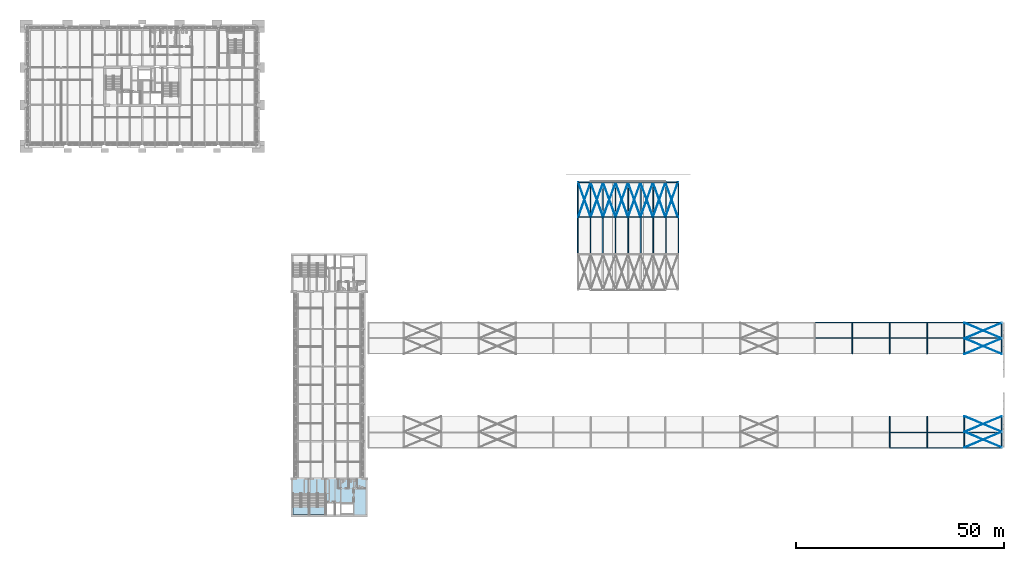
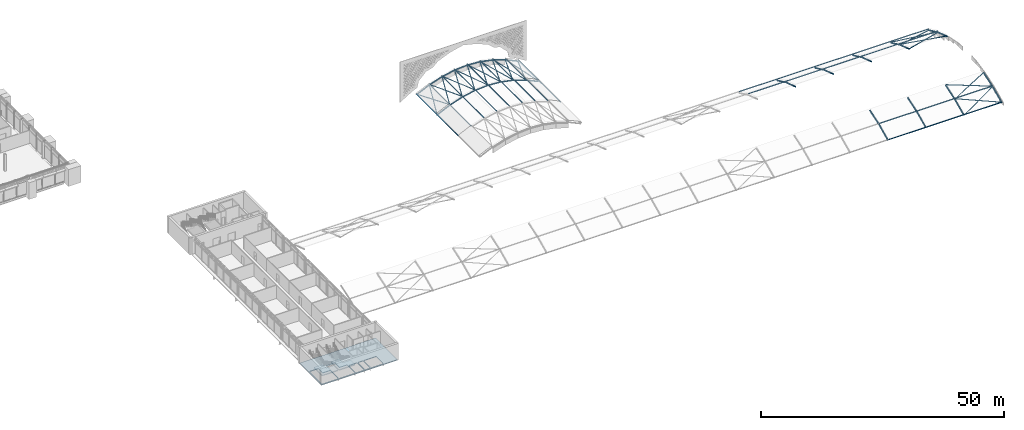
# One storey, part 16 of 54: 92 members, 3 slabs, 2 elements without a shape of their own.
"""IFC4 building model written with IfcOpenShell, lengths in metres."""

from ifc_helpers import new_model, si_unit, direction, frame, origin, origin_2d, place, context, subcontext, project, spatial, polyline, hollow_rectangle, hollow_circle, outline, extrude, material, layer, layer_set, material_profile, profile_set, type_object, element, aggregate, save


model = new_model("IFC4")

# Units and contexts
model_context = context("Model", 3, precision=1e-05, world=origin(), true_north=direction((0.0, 1.0)))
body_context = subcontext(model_context, "Body", "Model", "MODEL_VIEW")
ifc_project = project(units=[si_unit("LENGTHUNIT", "METRE"), si_unit("AREAUNIT", "SQUARE_METRE"), si_unit("VOLUMEUNIT", "CUBIC_METRE"), si_unit("PLANEANGLEUNIT", "RADIAN"), si_unit("MASSUNIT", "GRAM", prefix="KILO")], contexts=[model_context])

# Site, building, storey
site_placement = place(None, origin())
site = spatial("IfcSite", under=ifc_project, at=site_placement, CompositionType="ELEMENT")
building_placement = place(site_placement, origin())
building = spatial("IfcBuilding", under=site, at=building_placement, Name="Baradari Gate Terminus", CompositionType="ELEMENT")
storey_placement = place(building_placement, frame((0.0, 0.0, 15.89990234375)))
storey = spatial("IfcBuildingStorey", under=building, at=storey_placement, Name="L03", CompositionType="ELEMENT", Elevation=15.89990234375)

# Members
ifc_material_1 = material(Name="Steel S355", Category="steel")
ifc_material_profile_1 = material_profile(ifc_material_1, hollow_circle(Radius=0.161865234375, WallThickness=0.012451171875, at=origin_2d()), Name="CHS 323.9x12.5")
ifc_profile_set_1 = profile_set([ifc_material_profile_1], Name="Steel S355")
member_type_1 = type_object("IfcMemberType", Name="Hall vault top chord CHS 323.9x12.5", PredefinedType="CHORD", material=ifc_profile_set_1)
member_1_placement = place(storey_placement, frame((141.0, 99.0, -0.07763671875), z_axis=(0.906194443848, 0.0, 0.422861241945), x_axis=(0.0, 1.0, 0.0)))
element("IfcMember", 1, at=member_1_placement, inside=storey, type_object=member_type_1, Name="TR/L03/VT3-TC02", PredefinedType="CHORD", context=body_context, shape_type="SweptSolid", body=[
    extrude(hollow_circle(Radius=0.161865234375, WallThickness=0.012451171875, at=origin_2d()), origin(), (0.0, 0.0, 1.0), 3.310546875),
])
member_2_placement = place(storey_placement, frame((144.0, 99.0, 1.322265625), z_axis=(0.948683298051, 0.0, 0.316227766017), x_axis=(0.0, 1.0, 0.0)))
element("IfcMember", 2, at=member_2_placement, inside=storey, type_object=member_type_1, Name="TR/L03/VT3-TC03", PredefinedType="CHORD", context=body_context, shape_type="SweptSolid", body=[
    extrude(hollow_circle(Radius=0.161865234375, WallThickness=0.012451171875, at=origin_2d()), origin(), (0.0, 0.0, 1.0), 3.162353515625),
])
member_3_placement = place(storey_placement, frame((147.0, 99.0, 2.322265625), z_axis=(0.980574536798, 0.0, 0.196146827104), x_axis=(0.0, 1.0, 0.0)))
element("IfcMember", 3, at=member_3_placement, inside=storey, type_object=member_type_1, Name="TR/L03/VT3-TC04", PredefinedType="CHORD", context=body_context, shape_type="SweptSolid", body=[
    extrude(hollow_circle(Radius=0.161865234375, WallThickness=0.012451171875, at=origin_2d()), origin(), (0.0, 0.0, 1.0), 3.059326171875),
])
for number, where, z_axis, x_axis, name in (
    (4, (150.0, 99.0, 2.92236328125), (0.997786235602, 0.0, 0.066502842363), (0.0, 1.0, 0.0), "TR/L03/VT3-TC05"),
    (5, (153.0, 99.0, 3.122314453125), (0.997786235602, 0.0, -0.066502842363), (0.0, 1.0, 0.0), "TR/L03/VT3-TC06"),
):
    element("IfcMember", number, at=place(storey_placement, frame(where, z_axis=z_axis, x_axis=x_axis)), inside=storey, type_object=member_type_1, Name=name, PredefinedType="CHORD", context=body_context, shape_type="SweptSolid", body=[
        extrude(hollow_circle(Radius=0.161865234375, WallThickness=0.012451171875, at=origin_2d()), origin(), (0.0, 0.0, 1.0), 3.006591796875),
    ])
member_4_placement = place(storey_placement, frame((156.0, 99.0, 2.92236328125), z_axis=(0.980574536798, 0.0, -0.196146827104), x_axis=(0.0, 1.0, 0.0)))
element("IfcMember", 6, at=member_4_placement, inside=storey, type_object=member_type_1, Name="TR/L03/VT3-TC07", PredefinedType="CHORD", context=body_context, shape_type="SweptSolid", body=[
    extrude(hollow_circle(Radius=0.161865234375, WallThickness=0.012451171875, at=origin_2d()), origin(), (0.0, 0.0, 1.0), 3.059326171875),
])
member_5_placement = place(storey_placement, frame((159.0, 99.0, 2.322265625), z_axis=(0.948683298051, 0.0, -0.316227766017), x_axis=(0.0, 1.0, 0.0)))
element("IfcMember", 7, at=member_5_placement, inside=storey, type_object=member_type_1, Name="TR/L03/VT3-TC08", PredefinedType="CHORD", context=body_context, shape_type="SweptSolid", body=[
    extrude(hollow_circle(Radius=0.161865234375, WallThickness=0.012451171875, at=origin_2d()), origin(), (0.0, 0.0, 1.0), 3.162353515625),
])
for number, where, z_axis, x_axis, name in (
    (8, (162.0, 99.0, 1.322265625), (0.906194443848, 0.0, -0.422861241945), (0.0, 1.0, 0.0), "TR/L03/VT3-TC09"),
    (9, (141.0, 107.39990234375, -0.07763671875), (0.906194443848, 0.0, 0.422861241945), (0.0, 1.0, 0.0), "TR/L03/VT4-TC02"),
):
    element("IfcMember", number, at=place(storey_placement, frame(where, z_axis=z_axis, x_axis=x_axis)), inside=storey, type_object=member_type_1, Name=name, PredefinedType="CHORD", context=body_context, shape_type="SweptSolid", body=[
        extrude(hollow_circle(Radius=0.161865234375, WallThickness=0.012451171875, at=origin_2d()), origin(), (0.0, 0.0, 1.0), 3.310546875),
    ])
member_6_placement = place(storey_placement, frame((144.0, 107.39990234375, 1.322265625), z_axis=(0.948683298051, 0.0, 0.316227766017), x_axis=(0.0, 1.0, 0.0)))
element("IfcMember", 10, at=member_6_placement, inside=storey, type_object=member_type_1, Name="TR/L03/VT4-TC03", PredefinedType="CHORD", context=body_context, shape_type="SweptSolid", body=[
    extrude(hollow_circle(Radius=0.161865234375, WallThickness=0.012451171875, at=origin_2d()), origin(), (0.0, 0.0, 1.0), 3.162353515625),
])
member_7_placement = place(storey_placement, frame((147.0, 107.39990234375, 2.322265625), z_axis=(0.980574536798, 0.0, 0.196146827104), x_axis=(0.0, 1.0, 0.0)))
element("IfcMember", 11, at=member_7_placement, inside=storey, type_object=member_type_1, Name="TR/L03/VT4-TC04", PredefinedType="CHORD", context=body_context, shape_type="SweptSolid", body=[
    extrude(hollow_circle(Radius=0.161865234375, WallThickness=0.012451171875, at=origin_2d()), origin(), (0.0, 0.0, 1.0), 3.059326171875),
])
for number, where, z_axis, x_axis, name in (
    (12, (150.0, 107.39990234375, 2.92236328125), (0.997786235602, 0.0, 0.066502842363), (0.0, 1.0, 0.0), "TR/L03/VT4-TC05"),
    (13, (153.0, 107.39990234375, 3.122314453125), (0.997786235602, 0.0, -0.066502842363), (0.0, 1.0, 0.0), "TR/L03/VT4-TC06"),
):
    element("IfcMember", number, at=place(storey_placement, frame(where, z_axis=z_axis, x_axis=x_axis)), inside=storey, type_object=member_type_1, Name=name, PredefinedType="CHORD", context=body_context, shape_type="SweptSolid", body=[
        extrude(hollow_circle(Radius=0.161865234375, WallThickness=0.012451171875, at=origin_2d()), origin(), (0.0, 0.0, 1.0), 3.006591796875),
    ])
member_8_placement = place(storey_placement, frame((156.0, 107.39990234375, 2.92236328125), z_axis=(0.980574536798, 0.0, -0.196146827104), x_axis=(0.0, 1.0, 0.0)))
element("IfcMember", 14, at=member_8_placement, inside=storey, type_object=member_type_1, Name="TR/L03/VT4-TC07", PredefinedType="CHORD", context=body_context, shape_type="SweptSolid", body=[
    extrude(hollow_circle(Radius=0.161865234375, WallThickness=0.012451171875, at=origin_2d()), origin(), (0.0, 0.0, 1.0), 3.059326171875),
])
member_9_placement = place(storey_placement, frame((159.0, 107.39990234375, 2.322265625), z_axis=(0.948683298051, 0.0, -0.316227766017), x_axis=(0.0, 1.0, 0.0)))
element("IfcMember", 15, at=member_9_placement, inside=storey, type_object=member_type_1, Name="TR/L03/VT4-TC08", PredefinedType="CHORD", context=body_context, shape_type="SweptSolid", body=[
    extrude(hollow_circle(Radius=0.161865234375, WallThickness=0.012451171875, at=origin_2d()), origin(), (0.0, 0.0, 1.0), 3.162353515625),
])
member_10_placement = place(storey_placement, frame((162.0, 107.39990234375, 1.322265625), z_axis=(0.906194443848, 0.0, -0.422861241945), x_axis=(0.0, 1.0, 0.0)))
element("IfcMember", 16, at=member_10_placement, inside=storey, type_object=member_type_1, Name="TR/L03/VT4-TC09", PredefinedType="CHORD", context=body_context, shape_type="SweptSolid", body=[
    extrude(hollow_circle(Radius=0.161865234375, WallThickness=0.012451171875, at=origin_2d()), origin(), (0.0, 0.0, 1.0), 3.310546875),
])
ifc_material_2 = material(Name="Steel S355", Category="steel")
ifc_material_profile_2 = material_profile(ifc_material_2, hollow_rectangle(XDim=0.199951171875, YDim=0.199951171875, WallThickness=0.008056640625, InnerFilletRadius=0.008056640625, OuterFilletRadius=0.01611328125, at=origin_2d()), Name="SHS 200x200x8")
ifc_profile_set_2 = profile_set([ifc_material_profile_2], Name="Steel S355")
member_type_2 = type_object("IfcMemberType", Name="Shed purlin SHS 200x200x8", PredefinedType="PURLIN", material=ifc_profile_set_2)
for number, where, z_axis, x_axis, name in (
    (17, (198.0, 69.848388671875, 2.93359375), (1.0, 0.0, 0.0), (0.0, 0.928965199535, -0.370167067759), "TR/L03/B207-PU09"),
    (18, (198.0, 73.624755859375, 1.17138671875), (1.0, 0.0, 0.0), (0.0, 0.883026855482, -0.469322461106), "TR/L03/B207-PU10"),
    (19, (207.0, 69.848388671875, 2.93359375), (1.0, 0.0, 0.0), (0.0, 0.928965199535, -0.370167067759), "TR/L03/B216-PU09"),
    (20, (207.0, 73.624755859375, 1.17138671875), (1.0, 0.0, 0.0), (0.0, 0.883026855482, -0.469322461106), "TR/L03/B216-PU10"),
    (21, (216.0, 43.375244140625, 1.17138671875), (1.0, 0.0, 0.0), (0.0, 0.883026855482, 0.469322461106), "TR/L03/B225-PU02"),
    (22, (216.0, 47.151611328125, 2.93359375), (1.0, 0.0, 0.0), (0.0, 0.928965199535, 0.370167067759), "TR/L03/B225-PU03"),
    (23, (216.0, 69.848388671875, 2.93359375), (1.0, 0.0, 0.0), (0.0, 0.928965199535, -0.370167067759), "TR/L03/B225-PU09"),
    (24, (216.0, 73.624755859375, 1.17138671875), (1.0, 0.0, 0.0), (0.0, 0.883026855482, -0.469322461106), "TR/L03/B225-PU10"),
    (25, (225.0, 43.375244140625, 1.17138671875), (1.0, 0.0, 0.0), (0.0, 0.883026855482, 0.469322461106), "TR/L03/B234-PU02"),
    (26, (225.0, 47.151611328125, 2.93359375), (1.0, 0.0, 0.0), (0.0, 0.928965199535, 0.370167067759), "TR/L03/B234-PU03"),
    (27, (225.0, 69.848388671875, 2.93359375), (1.0, 0.0, 0.0), (0.0, 0.928965199535, -0.370167067759), "TR/L03/B234-PU09"),
    (28, (225.0, 73.624755859375, 1.17138671875), (1.0, 0.0, 0.0), (0.0, 0.883026855482, -0.469322461106), "TR/L03/B234-PU10"),
    (29, (234.0, 43.375244140625, 1.17138671875), (1.0, 0.0, 0.0), (0.0, 0.883026855482, 0.469322461106), "TR/L03/B243-PU02"),
    (30, (234.0, 47.151611328125, 2.93359375), (1.0, 0.0, 0.0), (0.0, 0.928965199535, 0.370167067759), "TR/L03/B243-PU03"),
    (31, (234.0, 69.848388671875, 2.93359375), (1.0, 0.0, 0.0), (0.0, 0.928965199535, -0.370167067759), "TR/L03/B243-PU09"),
    (32, (234.0, 73.624755859375, 1.17138671875), (1.0, 0.0, 0.0), (0.0, 0.883026855482, -0.469322461106), "TR/L03/B243-PU10"),
    (33, (140.8828125, 90.0, 0.14306640625), (0.0, 1.0, 0.0), (-0.883026855482, 0.0, -0.469322461106), "TR/L03/VP2-PU02"),
    (34, (143.907470703125, 90.0, 1.554443359375), (0.0, 1.0, 0.0), (-0.928965199535, 0.0, -0.370167067759), "TR/L03/VP2-PU03"),
    (35, (146.935791015625, 90.0, 2.56396484375), (0.0, 1.0, 0.0), (-0.966499648767, 0.0, -0.256667935149), "TR/L03/VP2-PU04"),
    (36, (149.967041015625, 90.0, 3.170166015625), (0.0, 1.0, 0.0), (-0.99130302961, 0.0, -0.131599025396), "TR/L03/VP2-PU05"),
    (37, (153.0, 90.0, 3.372314453125), (0.0, 1.0, 0.0), (-1.0, 0.0, 0.0), "TR/L03/VP2-PU06"),
    (38, (156.032958984375, 90.0, 3.170166015625), (0.0, 1.0, 0.0), (-0.99130302961, 0.0, 0.131599025396), "TR/L03/VP2-PU07"),
    (39, (159.064208984375, 90.0, 2.56396484375), (0.0, 1.0, 0.0), (-0.966499648767, 0.0, 0.256667935149), "TR/L03/VP2-PU08"),
    (40, (162.092529296875, 90.0, 1.554443359375), (0.0, 1.0, 0.0), (-0.928965199535, 0.0, 0.370167067759), "TR/L03/VP2-PU09"),
    (41, (165.1171875, 90.0, 0.14306640625), (0.0, 1.0, 0.0), (-0.883026855482, 0.0, 0.469322461106), "TR/L03/VP2-PU10"),
):
    element("IfcMember", number, at=place(storey_placement, frame(where, z_axis=z_axis, x_axis=x_axis)), inside=storey, type_object=member_type_2, Name=name, PredefinedType="PURLIN", context=body_context, shape_type="SweptSolid", body=[
        extrude(hollow_rectangle(XDim=0.199951171875, YDim=0.199951171875, WallThickness=0.008056640625, InnerFilletRadius=0.008056640625, OuterFilletRadius=0.01611328125, at=origin_2d()), origin(), (0.0, 0.0, 1.0), 9.0),
    ])
for number, where, z_axis, x_axis, name in (
    (42, (140.8828125, 99.0, 0.14306640625), (0.0, 1.0, 0.0), (-0.883026855482, 0.0, -0.469322461106), "TR/L03/VP3-PU02"),
    (43, (143.907470703125, 99.0, 1.554443359375), (0.0, 1.0, 0.0), (-0.928965199535, 0.0, -0.370167067759), "TR/L03/VP3-PU03"),
    (44, (146.935791015625, 99.0, 2.56396484375), (0.0, 1.0, 0.0), (-0.966499648767, 0.0, -0.256667935149), "TR/L03/VP3-PU04"),
    (45, (149.967041015625, 99.0, 3.170166015625), (0.0, 1.0, 0.0), (-0.99130302961, 0.0, -0.131599025396), "TR/L03/VP3-PU05"),
    (46, (153.0, 99.0, 3.372314453125), (0.0, 1.0, 0.0), (-1.0, 0.0, 0.0), "TR/L03/VP3-PU06"),
    (47, (156.032958984375, 99.0, 3.170166015625), (0.0, 1.0, 0.0), (-0.99130302961, 0.0, 0.131599025396), "TR/L03/VP3-PU07"),
    (48, (159.064208984375, 99.0, 2.56396484375), (0.0, 1.0, 0.0), (-0.966499648767, 0.0, 0.256667935149), "TR/L03/VP3-PU08"),
    (49, (162.092529296875, 99.0, 1.554443359375), (0.0, 1.0, 0.0), (-0.928965199535, 0.0, 0.370167067759), "TR/L03/VP3-PU09"),
    (50, (165.1171875, 99.0, 0.14306640625), (0.0, 1.0, 0.0), (-0.883026855482, 0.0, 0.469322461106), "TR/L03/VP3-PU10"),
):
    element("IfcMember", number, at=place(storey_placement, frame(where, z_axis=z_axis, x_axis=x_axis)), inside=storey, type_object=member_type_2, Name=name, PredefinedType="PURLIN", context=body_context, shape_type="SweptSolid", body=[
        extrude(hollow_rectangle(XDim=0.199951171875, YDim=0.199951171875, WallThickness=0.008056640625, InnerFilletRadius=0.008056640625, OuterFilletRadius=0.01611328125, at=origin_2d()), origin(), (0.0, 0.0, 1.0), 8.39990234375),
    ])
ifc_material_3 = material(Name="Steel S355", Category="steel")
ifc_material_profile_3 = material_profile(ifc_material_3, hollow_circle(Radius=0.05712890625, WallThickness=0.00634765625, at=origin_2d()), Name="CHS 114.3x6.3")
ifc_profile_set_3 = profile_set([ifc_material_profile_3], Name="Steel S355")
member_type_3 = type_object("IfcMemberType", Name="Shed roof brace CHS 114.3x6.3", PredefinedType="BRACE", material=ifc_profile_set_3)
for number, where, z_axis, x_axis, name in (
    (51, (234.0, 43.5, 0.9365234375), (0.908558037225, 0.378565848844, 0.176664062794), (-0.384615384615, 0.923076923077, 0.0), "TR/L03/B243-RB02A"),
    (52, (243.0, 43.5, 1.05078125), (-0.908558037225, 0.378565848844, 0.176664062794), (-0.384615384615, -0.923076923077, 0.0), "TR/L03/B243-RB02B"),
):
    element("IfcMember", number, at=place(storey_placement, frame(where, z_axis=z_axis, x_axis=x_axis)), inside=storey, type_object=member_type_3, Name=name, PredefinedType="BRACE", context=body_context, shape_type="SweptSolid", body=[
        extrude(hollow_circle(Radius=0.05712890625, WallThickness=0.00634765625, at=origin_2d()), origin(), (0.0, 0.0, 1.0), 9.90576171875),
    ])
for number, where, z_axis, x_axis, name in (
    (53, (234.0, 47.25, 2.6865234375), (0.915583075095, 0.381492947956, 0.127164315985), (-0.384615384615, 0.923076923077, 0.0), "TR/L03/B243-RB03A"),
    (54, (243.0, 47.25, 2.80078125), (-0.915583075095, 0.381492947956, 0.127164315985), (-0.384615384615, -0.923076923077, 0.0), "TR/L03/B243-RB03B"),
    (55, (234.0, 66.0, 3.9365234375), (0.915583075095, 0.381492947956, -0.127164315985), (-0.384615384615, 0.923076923077, 0.0), "TR/L03/B243-RB08A"),
    (56, (243.0, 66.0, 4.05078125), (-0.915583075095, 0.381492947956, -0.127164315985), (-0.384615384615, -0.923076923077, 0.0), "TR/L03/B243-RB08B"),
):
    element("IfcMember", number, at=place(storey_placement, frame(where, z_axis=z_axis, x_axis=x_axis)), inside=storey, type_object=member_type_3, Name=name, PredefinedType="BRACE", context=body_context, shape_type="SweptSolid", body=[
        extrude(hollow_circle(Radius=0.05712890625, WallThickness=0.00634765625, at=origin_2d()), origin(), (0.0, 0.0, 1.0), 9.829833984375),
    ])
for number, where, z_axis, x_axis, name in (
    (57, (234.0, 69.75, 2.6865234375), (0.908558037225, 0.378565848844, -0.176664062794), (-0.384615384615, 0.923076923077, 0.0), "TR/L03/B243-RB09A"),
    (58, (243.0, 69.75, 2.80078125), (-0.908558037225, 0.378565848844, -0.176664062794), (-0.384615384615, -0.923076923077, 0.0), "TR/L03/B243-RB09B"),
):
    element("IfcMember", number, at=place(storey_placement, frame(where, z_axis=z_axis, x_axis=x_axis)), inside=storey, type_object=member_type_3, Name=name, PredefinedType="BRACE", context=body_context, shape_type="SweptSolid", body=[
        extrude(hollow_circle(Radius=0.05712890625, WallThickness=0.00634765625, at=origin_2d()), origin(), (0.0, 0.0, 1.0), 9.90576171875),
    ])
for number, where, z_axis, x_axis, name in (
    (59, (141.0, 99.0, -0.07763671875), (0.33227239954, 0.930351902552, 0.15504963696), (-0.941740673063, 0.336339864867, 0.0), "TR/L03/VPB3-RB02A"),
    (60, (144.0, 99.0, 1.436767578125), (-0.33227100634, 0.93034800164, -0.155076027129), (-0.941740673063, -0.336339864867, 0.0), "TR/L03/VPB3-RB02B"),
):
    element("IfcMember", number, at=place(storey_placement, frame(where, z_axis=z_axis, x_axis=x_axis)), inside=storey, type_object=member_type_3, Name=name, PredefinedType="BRACE", context=body_context, shape_type="SweptSolid", body=[
        extrude(hollow_circle(Radius=0.05712890625, WallThickness=0.00634765625, at=origin_2d()), origin(), (0.0, 0.0, 1.0), 9.02880859375),
    ])
for number, where, z_axis, x_axis, name in (
    (61, (144.0, 99.0, 1.322265625), (0.334245791864, 0.935877336823, 0.111415263955), (-0.941740673063, 0.336339864867, 0.0), "TR/L03/VPB3-RB03A"),
    (62, (147.0, 99.0, 2.436767578125), (-0.334245791864, 0.935877336823, -0.111415263955), (-0.941740673063, -0.336339864867, 0.0), "TR/L03/VPB3-RB03B"),
):
    element("IfcMember", number, at=place(storey_placement, frame(where, z_axis=z_axis, x_axis=x_axis)), inside=storey, type_object=member_type_3, Name=name, PredefinedType="BRACE", context=body_context, shape_type="SweptSolid", body=[
        extrude(hollow_circle(Radius=0.05712890625, WallThickness=0.00634765625, at=origin_2d()), origin(), (0.0, 0.0, 1.0), 8.975341796875),
    ])
for number, where, z_axis, x_axis, name in (
    (63, (147.0, 99.0, 2.322265625), (0.335581226012, 0.939616508966, 0.06712716907), (-0.941740673063, 0.336339864867, 0.0), "TR/L03/VPB3-RB04A"),
    (64, (150.0, 99.0, 3.03662109375), (-0.335581841083, 0.939618231145, -0.067099982385), (-0.941740673063, -0.336339864867, 0.0), "TR/L03/VPB3-RB04B"),
):
    element("IfcMember", number, at=place(storey_placement, frame(where, z_axis=z_axis, x_axis=x_axis)), inside=storey, type_object=member_type_3, Name=name, PredefinedType="BRACE", context=body_context, shape_type="SweptSolid", body=[
        extrude(hollow_circle(Radius=0.05712890625, WallThickness=0.00634765625, at=origin_2d()), origin(), (0.0, 0.0, 1.0), 8.939697265625),
    ])
for number, where, z_axis, x_axis, name in (
    (65, (150.0, 99.0, 2.92236328125), (0.33625538625, 0.941504135688, 0.022411552843), (-0.941740673063, 0.336339864867, 0.0), "TR/L03/VPB3-RB05A"),
    (66, (153.0, 99.0, 3.236572265625), (-0.33625538625, 0.941504135688, -0.022411552843), (-0.941740673063, -0.336339864867, 0.0), "TR/L03/VPB3-RB05B"),
    (67, (153.0, 99.0, 3.122314453125), (0.33625538625, 0.941504135688, -0.022411552843), (-0.941740673063, 0.336339864867, 0.0), "TR/L03/VPB3-RB06A"),
    (68, (156.0, 99.0, 3.03662109375), (-0.33625538625, 0.941504135688, 0.022411552843), (-0.941740673063, -0.336339864867, 0.0), "TR/L03/VPB3-RB06B"),
):
    element("IfcMember", number, at=place(storey_placement, frame(where, z_axis=z_axis, x_axis=x_axis)), inside=storey, type_object=member_type_3, Name=name, PredefinedType="BRACE", context=body_context, shape_type="SweptSolid", body=[
        extrude(hollow_circle(Radius=0.05712890625, WallThickness=0.00634765625, at=origin_2d()), origin(), (0.0, 0.0, 1.0), 8.921875),
    ])
for number, where, z_axis, x_axis, name in (
    (69, (156.0, 99.0, 2.92236328125), (0.335581226012, 0.939616508966, -0.06712716907), (-0.941740673063, 0.336339864867, 0.0), "TR/L03/VPB3-RB07A"),
    (70, (159.0, 99.0, 2.436767578125), (-0.335581841083, 0.939618231145, 0.067099982385), (-0.941740673063, -0.336339864867, 0.0), "TR/L03/VPB3-RB07B"),
):
    element("IfcMember", number, at=place(storey_placement, frame(where, z_axis=z_axis, x_axis=x_axis)), inside=storey, type_object=member_type_3, Name=name, PredefinedType="BRACE", context=body_context, shape_type="SweptSolid", body=[
        extrude(hollow_circle(Radius=0.05712890625, WallThickness=0.00634765625, at=origin_2d()), origin(), (0.0, 0.0, 1.0), 8.939697265625),
    ])
for number, where, z_axis, x_axis, name in (
    (71, (159.0, 99.0, 2.322265625), (0.334245791864, 0.935877336823, -0.111415263955), (-0.941740673063, 0.336339864867, 0.0), "TR/L03/VPB3-RB08A"),
    (72, (162.0, 99.0, 1.436767578125), (-0.334245791864, 0.935877336823, 0.111415263955), (-0.941740673063, -0.336339864867, 0.0), "TR/L03/VPB3-RB08B"),
):
    element("IfcMember", number, at=place(storey_placement, frame(where, z_axis=z_axis, x_axis=x_axis)), inside=storey, type_object=member_type_3, Name=name, PredefinedType="BRACE", context=body_context, shape_type="SweptSolid", body=[
        extrude(hollow_circle(Radius=0.05712890625, WallThickness=0.00634765625, at=origin_2d()), origin(), (0.0, 0.0, 1.0), 8.975341796875),
    ])
for number, where, z_axis, x_axis, name in (
    (73, (162.0, 99.0, 1.322265625), (0.33227239954, 0.930351902552, -0.15504963696), (-0.941740673063, 0.336339864867, 0.0), "TR/L03/VPB3-RB09A"),
    (74, (165.0, 99.0, 0.03662109375), (-0.33227100634, 0.93034800164, 0.155076027129), (-0.941740673063, -0.336339864867, 0.0), "TR/L03/VPB3-RB09B"),
):
    element("IfcMember", number, at=place(storey_placement, frame(where, z_axis=z_axis, x_axis=x_axis)), inside=storey, type_object=member_type_3, Name=name, PredefinedType="BRACE", context=body_context, shape_type="SweptSolid", body=[
        extrude(hollow_circle(Radius=0.05712890625, WallThickness=0.00634765625, at=origin_2d()), origin(), (0.0, 0.0, 1.0), 9.02880859375),
    ])
ifc_material_4 = material(Name="Steel S355", Category="steel")
ifc_material_profile_4 = material_profile(ifc_material_4, hollow_circle(Radius=0.177734375, WallThickness=0.01611328125, at=origin_2d()), Name="CHS 355.6x16")
ifc_profile_set_4 = profile_set([ifc_material_profile_4], Name="Steel S355")
member_type_4 = type_object("IfcMemberType", Name="Shed top chord CHS 355.6x16", PredefinedType="CHORD", material=ifc_profile_set_4)
member_11_placement = place(storey_placement, frame((207.0, 66.0, 3.9365234375), z_axis=(0.0, 0.948683298051, -0.316227766017), x_axis=(-1.0, 0.0, 0.0)))
element("IfcMember", 75, at=member_11_placement, inside=storey, type_object=member_type_4, Name="TR/L03/S207-TC08", PredefinedType="CHORD", context=body_context, shape_type="SweptSolid", body=[
    extrude(hollow_circle(Radius=0.177734375, WallThickness=0.01611328125, at=origin_2d()), origin(), (0.0, 0.0, 1.0), 3.952880859375),
])
for number, where, z_axis, x_axis, name in (
    (76, (207.0, 69.75, 2.6865234375), (0.0, 0.906183139995, -0.422885465331), (-1.0, 0.0, 0.0), "TR/L03/S207-TC09"),
    (77, (216.0, 43.5, 0.9365234375), (0.0, 0.906183139995, 0.422885465331), (-1.0, 0.0, 0.0), "TR/L03/S216-TC02"),
):
    element("IfcMember", number, at=place(storey_placement, frame(where, z_axis=z_axis, x_axis=x_axis)), inside=storey, type_object=member_type_4, Name=name, PredefinedType="CHORD", context=body_context, shape_type="SweptSolid", body=[
        extrude(hollow_circle(Radius=0.177734375, WallThickness=0.01611328125, at=origin_2d()), origin(), (0.0, 0.0, 1.0), 4.13818359375),
    ])
for number, where, z_axis, x_axis, name in (
    (78, (216.0, 47.25, 2.6865234375), (0.0, 0.948683298051, 0.316227766017), (-1.0, 0.0, 0.0), "TR/L03/S216-TC03"),
    (79, (216.0, 66.0, 3.9365234375), (0.0, 0.948683298051, -0.316227766017), (-1.0, 0.0, 0.0), "TR/L03/S216-TC08"),
):
    element("IfcMember", number, at=place(storey_placement, frame(where, z_axis=z_axis, x_axis=x_axis)), inside=storey, type_object=member_type_4, Name=name, PredefinedType="CHORD", context=body_context, shape_type="SweptSolid", body=[
        extrude(hollow_circle(Radius=0.177734375, WallThickness=0.01611328125, at=origin_2d()), origin(), (0.0, 0.0, 1.0), 3.952880859375),
    ])
for number, where, z_axis, x_axis, name in (
    (80, (216.0, 69.75, 2.6865234375), (0.0, 0.906183139995, -0.422885465331), (-1.0, 0.0, 0.0), "TR/L03/S216-TC09"),
    (81, (225.0, 43.5, 0.9365234375), (0.0, 0.906183139995, 0.422885465331), (-1.0, 0.0, 0.0), "TR/L03/S225-TC02"),
):
    element("IfcMember", number, at=place(storey_placement, frame(where, z_axis=z_axis, x_axis=x_axis)), inside=storey, type_object=member_type_4, Name=name, PredefinedType="CHORD", context=body_context, shape_type="SweptSolid", body=[
        extrude(hollow_circle(Radius=0.177734375, WallThickness=0.01611328125, at=origin_2d()), origin(), (0.0, 0.0, 1.0), 4.13818359375),
    ])
for number, where, z_axis, x_axis, name in (
    (82, (225.0, 47.25, 2.6865234375), (0.0, 0.948683298051, 0.316227766017), (-1.0, 0.0, 0.0), "TR/L03/S225-TC03"),
    (83, (225.0, 66.0, 3.9365234375), (0.0, 0.948683298051, -0.316227766017), (-1.0, 0.0, 0.0), "TR/L03/S225-TC08"),
):
    element("IfcMember", number, at=place(storey_placement, frame(where, z_axis=z_axis, x_axis=x_axis)), inside=storey, type_object=member_type_4, Name=name, PredefinedType="CHORD", context=body_context, shape_type="SweptSolid", body=[
        extrude(hollow_circle(Radius=0.177734375, WallThickness=0.01611328125, at=origin_2d()), origin(), (0.0, 0.0, 1.0), 3.952880859375),
    ])
for number, where, z_axis, x_axis, name in (
    (84, (225.0, 69.75, 2.6865234375), (0.0, 0.906183139995, -0.422885465331), (-1.0, 0.0, 0.0), "TR/L03/S225-TC09"),
    (85, (234.0, 43.5, 0.9365234375), (0.0, 0.906183139995, 0.422885465331), (-1.0, 0.0, 0.0), "TR/L03/S234-TC02"),
):
    element("IfcMember", number, at=place(storey_placement, frame(where, z_axis=z_axis, x_axis=x_axis)), inside=storey, type_object=member_type_4, Name=name, PredefinedType="CHORD", context=body_context, shape_type="SweptSolid", body=[
        extrude(hollow_circle(Radius=0.177734375, WallThickness=0.01611328125, at=origin_2d()), origin(), (0.0, 0.0, 1.0), 4.13818359375),
    ])
for number, where, z_axis, x_axis, name in (
    (86, (234.0, 47.25, 2.6865234375), (0.0, 0.948683298051, 0.316227766017), (-1.0, 0.0, 0.0), "TR/L03/S234-TC03"),
    (87, (234.0, 66.0, 3.9365234375), (0.0, 0.948683298051, -0.316227766017), (-1.0, 0.0, 0.0), "TR/L03/S234-TC08"),
):
    element("IfcMember", number, at=place(storey_placement, frame(where, z_axis=z_axis, x_axis=x_axis)), inside=storey, type_object=member_type_4, Name=name, PredefinedType="CHORD", context=body_context, shape_type="SweptSolid", body=[
        extrude(hollow_circle(Radius=0.177734375, WallThickness=0.01611328125, at=origin_2d()), origin(), (0.0, 0.0, 1.0), 3.952880859375),
    ])
for number, where, z_axis, x_axis, name in (
    (88, (234.0, 69.75, 2.6865234375), (0.0, 0.906183139995, -0.422885465331), (-1.0, 0.0, 0.0), "TR/L03/S234-TC09"),
    (89, (243.0, 43.5, 0.9365234375), (0.0, 0.906183139995, 0.422885465331), (-1.0, 0.0, 0.0), "TR/L03/S243-TC02"),
):
    element("IfcMember", number, at=place(storey_placement, frame(where, z_axis=z_axis, x_axis=x_axis)), inside=storey, type_object=member_type_4, Name=name, PredefinedType="CHORD", context=body_context, shape_type="SweptSolid", body=[
        extrude(hollow_circle(Radius=0.177734375, WallThickness=0.01611328125, at=origin_2d()), origin(), (0.0, 0.0, 1.0), 4.13818359375),
    ])
for number, where, z_axis, x_axis, name in (
    (90, (243.0, 47.25, 2.6865234375), (0.0, 0.948683298051, 0.316227766017), (-1.0, 0.0, 0.0), "TR/L03/S243-TC03"),
    (91, (243.0, 66.0, 3.9365234375), (0.0, 0.948683298051, -0.316227766017), (-1.0, 0.0, 0.0), "TR/L03/S243-TC08"),
):
    element("IfcMember", number, at=place(storey_placement, frame(where, z_axis=z_axis, x_axis=x_axis)), inside=storey, type_object=member_type_4, Name=name, PredefinedType="CHORD", context=body_context, shape_type="SweptSolid", body=[
        extrude(hollow_circle(Radius=0.177734375, WallThickness=0.01611328125, at=origin_2d()), origin(), (0.0, 0.0, 1.0), 3.952880859375),
    ])
member_12_placement = place(storey_placement, frame((243.0, 69.75, 2.6865234375), z_axis=(0.0, 0.906183139995, -0.422885465331), x_axis=(-1.0, 0.0, 0.0)))
element("IfcMember", 92, at=member_12_placement, inside=storey, type_object=member_type_4, Name="TR/L03/S243-TC09", PredefinedType="CHORD", context=body_context, shape_type="SweptSolid", body=[
    extrude(hollow_circle(Radius=0.177734375, WallThickness=0.01611328125, at=origin_2d()), origin(), (0.0, 0.0, 1.0), 4.13818359375),
])

# Slab
ifc_material_5 = material(Name="Concrete C35/45", Category="concrete")
ifc_layer_1 = layer(ifc_material_5, 0.14990234375)
ifc_layer_set_1 = layer_set([ifc_layer_1], Name="Concrete C35/45")
slab_type_1 = type_object("IfcSlabType", Name="Gate floor slab SL11 150", PredefinedType="FLOOR", material=ifc_layer_set_1)
slab_1_placement = place(storey_placement, frame((0.0, 0.0, -0.14990234375)))
element("IfcSlab", 93, at=slab_1_placement, inside=storey, type_object=slab_type_1, Name="Core floor GS", PredefinedType="FLOOR", context=body_context, shape_type="SweptSolid", body=[
    extrude(outline(polyline([(72.0, 27.0), (90.0, 27.0), (90.0, 36.0), (72.0, 36.0), (72.0, 27.0)]), holes=[polyline([(86.800048828125, 27.300048828125), (86.800048828125, 30.199951171875), (83.89990234375, 30.199951171875), (83.89990234375, 27.300048828125), (86.800048828125, 27.300048828125)]), polyline([(83.699951171875, 30.199951171875), (82.5, 30.199951171875), (82.5, 27.300048828125), (83.699951171875, 27.300048828125), (83.699951171875, 30.199951171875)]), polyline([(82.300048828125, 30.199951171875), (80.300048828125, 30.199951171875), (80.300048828125, 27.300048828125), (82.300048828125, 27.300048828125), (82.300048828125, 30.199951171875)]), polyline([(80.10009765625, 27.300048828125), (80.10009765625, 30.580078125), (78.300048828125, 30.580078125), (78.300048828125, 32.39990234375), (76.300048828125, 32.39990234375), (76.300048828125, 27.300048828125), (80.10009765625, 27.300048828125)]), polyline([(76.10009765625, 27.300048828125), (76.10009765625, 30.580078125), (74.300048828125, 30.580078125), (74.300048828125, 32.39990234375), (72.300048828125, 32.39990234375), (72.300048828125, 27.300048828125), (76.10009765625, 27.300048828125)])]), origin(), (0.0, 0.0, 1.0), 0.14990234375),
])

# Stair, slab
ifc_material_6 = material(Name="Concrete C32/40", Category="concrete")
stair_type_1 = type_object("IfcStairType", Name="Exit stair ST-GS1 riser 175 x 1800", PredefinedType="HALF_TURN_STAIR", material=ifc_material_6)
stair_1_placement = place(storey_placement, origin())
stair_1 = element("IfcStair", 94, at=stair_1_placement, inside=storey, type_object=stair_type_1, Name="Stair ST-GS1 L03 to L04", PredefinedType="HALF_TURN_STAIR")
ifc_material_7 = material(Name="Concrete C32/40", Category="concrete")
ifc_layer_2 = layer(ifc_material_7, 0.25)
ifc_layer_set_2 = layer_set([ifc_layer_2], Name="Concrete C32/40")
slab_type_2 = type_object("IfcSlabType", Name="Stair landing LS-5 250", PredefinedType="LANDING", material=ifc_layer_set_2)
slab_2_placement = place(storey_placement, frame((0.0, 0.0, 1.85009765625)))
slab_2 = element("IfcSlab", 95, at=slab_2_placement, type_object=slab_type_2, Name="ST-GS1 landing 1", PredefinedType="LANDING", context=body_context, shape_type="SweptSolid", body=[
    extrude(outline(polyline([(76.10009765625, 27.300048828125), (76.10009765625, 29.1201171875), (74.300048828125, 29.1201171875), (74.300048828125, 30.635009765625), (74.10009765625, 30.635009765625), (72.300048828125, 30.635009765625), (72.300048828125, 27.300048828125), (76.10009765625, 27.300048828125)])), origin(), (0.0, 0.0, 1.0), 0.25),
])
aggregate(stair_1, [slab_2])

ifc_material_8 = material(Name="Concrete C32/40", Category="concrete")
stair_type_2 = type_object("IfcStairType", Name="Exit stair ST-GS2 riser 175 x 1800", PredefinedType="HALF_TURN_STAIR", material=ifc_material_8)
stair_2_placement = place(storey_placement, origin())
stair_2 = element("IfcStair", 96, at=stair_2_placement, inside=storey, type_object=stair_type_2, Name="Stair ST-GS2 L03 to L04", PredefinedType="HALF_TURN_STAIR")
slab_3_placement = place(storey_placement, frame((0.0, 0.0, 1.85009765625)))
slab_3 = element("IfcSlab", 97, at=slab_3_placement, type_object=slab_type_2, Name="ST-GS2 landing 1", PredefinedType="LANDING", context=body_context, shape_type="SweptSolid", body=[
    extrude(outline(polyline([(80.10009765625, 27.300048828125), (80.10009765625, 29.1201171875), (78.300048828125, 29.1201171875), (78.300048828125, 30.635009765625), (78.10009765625, 30.635009765625), (76.300048828125, 30.635009765625), (76.300048828125, 27.300048828125), (80.10009765625, 27.300048828125)])), origin(), (0.0, 0.0, 1.0), 0.25),
])
aggregate(stair_2, [slab_3])

save(model, "model.ifc")
